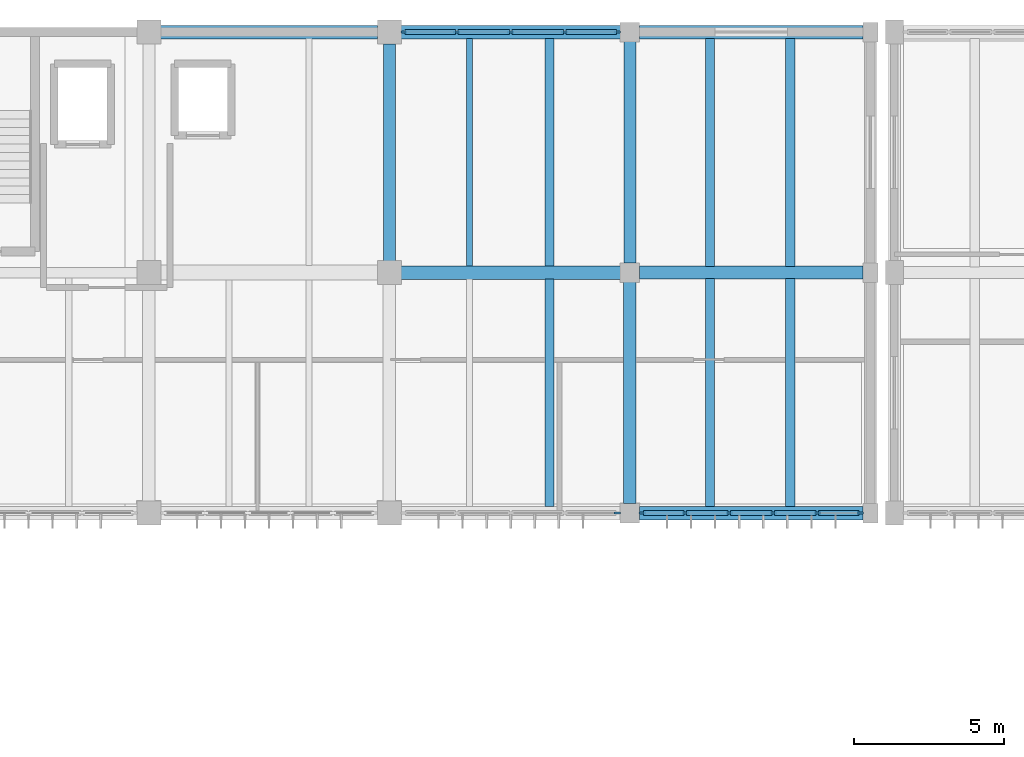
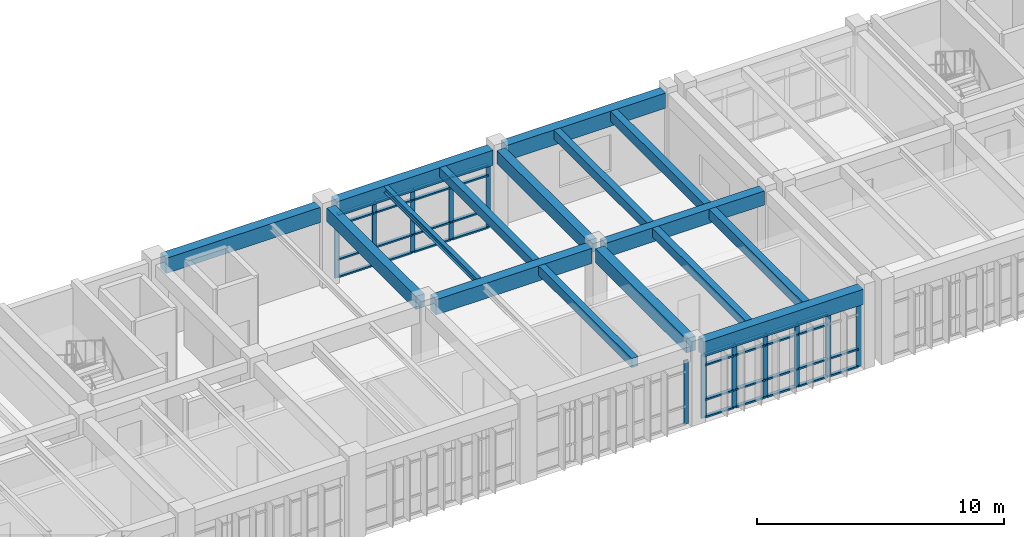
# One storey, part 22 of 67: 46 members, 16 beams, 3 elements without a shape of their own.
"""IFC4 building model written with IfcOpenShell, lengths in metres."""

from ifc_helpers import new_model, si_unit, direction, frame, origin, origin_2d, place, context, subcontext, project, spatial, rectangle, i_section, extrude, material, material_profile, profile_set, type_object, element, aggregate, save


model = new_model("IFC4")

# Units and contexts
model_context = context("Model", 3, precision=1e-05, world=origin(), true_north=direction((0.0, 1.0)))
body_context = subcontext(model_context, "Body", "Model", "MODEL_VIEW")
ifc_project = project(units=[si_unit("LENGTHUNIT", "METRE"), si_unit("AREAUNIT", "SQUARE_METRE"), si_unit("VOLUMEUNIT", "CUBIC_METRE"), si_unit("PLANEANGLEUNIT", "RADIAN"), si_unit("MASSUNIT", "GRAM", prefix="KILO")], contexts=[model_context])

# Site, building, storey
site_placement = place(None, origin())
site = spatial("IfcSite", under=ifc_project, at=site_placement, CompositionType="ELEMENT")
building_placement = place(site_placement, origin())
building = spatial("IfcBuilding", under=site, at=building_placement, Name="Tlaxcora Railside Police Headquarters", CompositionType="ELEMENT")
storey_placement = place(building_placement, frame((0.0, 0.0, 4.800048828125)))
storey = spatial("IfcBuildingStorey", under=building, at=storey_placement, Name="L01", CompositionType="ELEMENT", Elevation=4.800048828125)

# Curtain wall, members
ifc_material_1 = material(Name="Thermally broken low-E insulated glazing", Category="glass")
curtain_wall_type_1 = type_object("IfcCurtainWallType", Name="Unitised Curtain Wall Assembly CW-23", PredefinedType="NOTDEFINED", material=ifc_material_1)
curtain_wall_1_placement = place(storey_placement, origin())
curtain_wall_1 = element("IfcCurtainWall", 1, at=curtain_wall_1_placement, inside=storey, type_object=curtain_wall_type_1, Name="V5 L01 curtain wall 40", PredefinedType="NOTDEFINED")
ifc_material_2 = material(Name="Anodised aluminium framing", Category="aluminium")
ifc_material_profile_1 = material_profile(ifc_material_2, rectangle(XDim=0.080078125, YDim=0.219970703125, at=origin_2d()), Name="AL80X220")
ifc_profile_set_1 = profile_set([ifc_material_profile_1], Name="Anodised aluminium framing")
member_type_1 = type_object("IfcMemberType", Name="Curtain Wall Mullion CW-31", PredefinedType="MULLION", material=ifc_profile_set_1)
member_1_placement = place(storey_placement, frame((94.4150390625, 76.800048828125, 0.0), z_axis=(0.0, 0.0, 1.0), x_axis=(0.0, 1.0, 0.0)))
member_1 = element("IfcMember", 2, at=member_1_placement, type_object=member_type_1, Name="CW mullion 1", PredefinedType="MULLION", context=body_context, shape_type="SweptSolid", body=[
    extrude(rectangle(XDim=0.080078125, YDim=0.219970703125, at=origin_2d()), origin(), (0.0, 0.0, 1.0), 3.139892578125),
])
member_2_placement = place(storey_placement, frame((95.840087890625, 76.800048828125, 0.0), z_axis=(0.0, 0.0, 1.0), x_axis=(0.0, 1.0, 0.0)))
member_2 = element("IfcMember", 3, at=member_2_placement, type_object=member_type_1, Name="CW mullion 2", PredefinedType="MULLION", context=body_context, shape_type="SweptSolid", body=[
    extrude(rectangle(XDim=0.080078125, YDim=0.219970703125, at=origin_2d()), origin(), (0.0, 0.0, 1.0), 3.139892578125),
])
member_3_placement = place(storey_placement, frame((97.304931640625, 76.800048828125, 0.0), z_axis=(0.0, 0.0, 1.0), x_axis=(0.0, 1.0, 0.0)))
member_3 = element("IfcMember", 4, at=member_3_placement, type_object=member_type_1, Name="CW mullion 3", PredefinedType="MULLION", context=body_context, shape_type="SweptSolid", body=[
    extrude(rectangle(XDim=0.080078125, YDim=0.219970703125, at=origin_2d()), origin(), (0.0, 0.0, 1.0), 3.139892578125),
])
member_4_placement = place(storey_placement, frame((98.77001953125, 76.800048828125, 0.0), z_axis=(0.0, 0.0, 1.0), x_axis=(0.0, 1.0, 0.0)))
member_4 = element("IfcMember", 5, at=member_4_placement, type_object=member_type_1, Name="CW mullion 4", PredefinedType="MULLION", context=body_context, shape_type="SweptSolid", body=[
    extrude(rectangle(XDim=0.080078125, YDim=0.219970703125, at=origin_2d()), origin(), (0.0, 0.0, 1.0), 3.139892578125),
])
member_5_placement = place(storey_placement, frame((100.235107421875, 76.800048828125, 0.0), z_axis=(0.0, 0.0, 1.0), x_axis=(0.0, 1.0, 0.0)))
member_5 = element("IfcMember", 6, at=member_5_placement, type_object=member_type_1, Name="CW mullion 5", PredefinedType="MULLION", context=body_context, shape_type="SweptSolid", body=[
    extrude(rectangle(XDim=0.080078125, YDim=0.219970703125, at=origin_2d()), origin(), (0.0, 0.0, 1.0), 3.139892578125),
])
member_6_placement = place(storey_placement, frame((101.659912109375, 76.800048828125, 0.0), z_axis=(0.0, 0.0, 1.0), x_axis=(0.0, 1.0, 0.0)))
member_6 = element("IfcMember", 7, at=member_6_placement, type_object=member_type_1, Name="CW mullion 6", PredefinedType="MULLION", context=body_context, shape_type="SweptSolid", body=[
    extrude(rectangle(XDim=0.080078125, YDim=0.219970703125, at=origin_2d()), origin(), (0.0, 0.0, 1.0), 3.139892578125),
])

curtain_wall_type_2 = type_object("IfcCurtainWallType", Name="Unitised Curtain Wall Assembly CW-38", PredefinedType="NOTDEFINED", material=ifc_material_1)
curtain_wall_2_placement = place(storey_placement, origin())
curtain_wall_2 = element("IfcCurtainWall", 8, at=curtain_wall_2_placement, inside=storey, type_object=curtain_wall_type_2, Name="V5 L01 curtain wall 41", PredefinedType="NOTDEFINED")
ifc_material_profile_2 = material_profile(ifc_material_2, rectangle(XDim=0.074951171875, YDim=0.205078125, at=origin_2d()), Name="AL75X205")
ifc_profile_set_2 = profile_set([ifc_material_profile_2], Name="Anodised aluminium framing")
member_type_2 = type_object("IfcMemberType", Name="Curtain Wall Mullion CW-32", PredefinedType="MULLION", material=ifc_profile_set_2)
member_7_placement = place(storey_placement, frame((93.58740234375, 92.800048828125, 0.0), z_axis=(0.0, 0.0, 1.0), x_axis=(0.0, -1.0, 0.0)))
member_7 = element("IfcMember", 9, at=member_7_placement, type_object=member_type_2, Name="CW mullion 1", PredefinedType="MULLION", context=body_context, shape_type="SweptSolid", body=[
    extrude(rectangle(XDim=0.074951171875, YDim=0.205078125, at=origin_2d()), origin(), (0.0, 0.0, 1.0), 3.139892578125),
])
member_8_placement = place(storey_placement, frame((91.831298828125, 92.800048828125, 0.0), z_axis=(0.0, 0.0, 1.0), x_axis=(0.0, -1.0, 0.0)))
member_8 = element("IfcMember", 10, at=member_8_placement, type_object=member_type_2, Name="CW mullion 2", PredefinedType="MULLION", context=body_context, shape_type="SweptSolid", body=[
    extrude(rectangle(XDim=0.074951171875, YDim=0.205078125, at=origin_2d()), origin(), (0.0, 0.0, 1.0), 3.139892578125),
])
member_9_placement = place(storey_placement, frame((90.03759765625, 92.800048828125, 0.0), z_axis=(0.0, 0.0, 1.0), x_axis=(0.0, -1.0, 0.0)))
member_9 = element("IfcMember", 11, at=member_9_placement, type_object=member_type_2, Name="CW mullion 3", PredefinedType="MULLION", context=body_context, shape_type="SweptSolid", body=[
    extrude(rectangle(XDim=0.074951171875, YDim=0.205078125, at=origin_2d()), origin(), (0.0, 0.0, 1.0), 3.139892578125),
])
member_10_placement = place(storey_placement, frame((88.24365234375, 92.800048828125, 0.0), z_axis=(0.0, 0.0, 1.0), x_axis=(0.0, -1.0, 0.0)))
member_10 = element("IfcMember", 12, at=member_10_placement, type_object=member_type_2, Name="CW mullion 4", PredefinedType="MULLION", context=body_context, shape_type="SweptSolid", body=[
    extrude(rectangle(XDim=0.074951171875, YDim=0.205078125, at=origin_2d()), origin(), (0.0, 0.0, 1.0), 3.139892578125),
])
member_11_placement = place(storey_placement, frame((86.487548828125, 92.800048828125, 0.0), z_axis=(0.0, 0.0, 1.0), x_axis=(0.0, -1.0, 0.0)))
member_11 = element("IfcMember", 13, at=member_11_placement, type_object=member_type_2, Name="CW mullion 5", PredefinedType="MULLION", context=body_context, shape_type="SweptSolid", body=[
    extrude(rectangle(XDim=0.074951171875, YDim=0.205078125, at=origin_2d()), origin(), (0.0, 0.0, 1.0), 3.139892578125),
])

# Curtain wall, member
curtain_wall_type_3 = type_object("IfcCurtainWallType", Name="Unitised Curtain Wall Assembly CW-83", PredefinedType="NOTDEFINED", material=ifc_material_1)
curtain_wall_3_placement = place(storey_placement, origin())
curtain_wall_3 = element("IfcCurtainWall", 14, at=curtain_wall_3_placement, inside=storey, type_object=curtain_wall_type_3, Name="V5 L01 curtain wall 39", PredefinedType="NOTDEFINED")
ifc_material_profile_3 = material_profile(ifc_material_2, rectangle(XDim=0.080078125, YDim=0.2099609375, at=origin_2d()), Name="AL80X210")
ifc_profile_set_3 = profile_set([ifc_material_profile_3], Name="Anodised aluminium framing")
member_type_3 = type_object("IfcMemberType", Name="Curtain Wall Mullion CW-76", PredefinedType="MULLION", material=ifc_profile_set_3)
member_12_placement = place(storey_placement, frame((93.5849609375, 76.800048828125, 0.0), z_axis=(0.0, 0.0, 1.0), x_axis=(0.0, 1.0, 0.0)))
member_12 = element("IfcMember", 15, at=member_12_placement, type_object=member_type_3, Name="CW mullion 5", PredefinedType="MULLION", context=body_context, shape_type="SweptSolid", body=[
    extrude(rectangle(XDim=0.080078125, YDim=0.2099609375, at=origin_2d()), origin(), (0.0, 0.0, 1.0), 3.139892578125),
])
aggregate(curtain_wall_3, [member_12])

# Member
ifc_material_profile_4 = material_profile(ifc_material_2, rectangle(XDim=0.155029296875, YDim=0.074951171875, at=origin_2d()), Name="AL75X155")
ifc_profile_set_4 = profile_set([ifc_material_profile_4], Name="Anodised aluminium framing")
member_type_4 = type_object("IfcMemberType", Name="Curtain Wall Transom CW-30", PredefinedType="USERDEFINED", material=ifc_profile_set_4)
member_13_placement = place(storey_placement, frame((93.550048828125, 92.800048828125, 0.037353515625), z_axis=(-1.0, 0.0, 0.0), x_axis=(0.0, -1.0, 0.0)))
member_13 = element("IfcMember", 16, at=member_13_placement, type_object=member_type_4, Name="CW transom 1.1", ObjectType="TRANSOM", PredefinedType="USERDEFINED", context=body_context, shape_type="SweptSolid", body=[
    extrude(rectangle(XDim=0.155029296875, YDim=0.074951171875, at=origin_2d()), origin(), (0.0, 0.0, 1.0), 1.681396484375),
])

member_14_placement = place(storey_placement, frame((93.550048828125, 92.800048828125, 0.89990234375), z_axis=(-1.0, 0.0, 0.0), x_axis=(0.0, -1.0, 0.0)))
member_14 = element("IfcMember", 17, at=member_14_placement, type_object=member_type_4, Name="CW transom 1.2", ObjectType="TRANSOM", PredefinedType="USERDEFINED", context=body_context, shape_type="SweptSolid", body=[
    extrude(rectangle(XDim=0.155029296875, YDim=0.074951171875, at=origin_2d()), origin(), (0.0, 0.0, 1.0), 1.681396484375),
])

member_15_placement = place(storey_placement, frame((93.550048828125, 92.800048828125, 2.60986328125), z_axis=(-1.0, 0.0, 0.0), x_axis=(0.0, -1.0, 0.0)))
member_15 = element("IfcMember", 18, at=member_15_placement, type_object=member_type_4, Name="CW transom 1.3", ObjectType="TRANSOM", PredefinedType="USERDEFINED", context=body_context, shape_type="SweptSolid", body=[
    extrude(rectangle(XDim=0.155029296875, YDim=0.074951171875, at=origin_2d()), origin(), (0.0, 0.0, 1.0), 1.681396484375),
])

member_16_placement = place(storey_placement, frame((93.550048828125, 92.800048828125, 3.1025390625), z_axis=(-1.0, 0.0, 0.0), x_axis=(0.0, -1.0, 0.0)))
member_16 = element("IfcMember", 19, at=member_16_placement, type_object=member_type_4, Name="CW transom 1.4", ObjectType="TRANSOM", PredefinedType="USERDEFINED", context=body_context, shape_type="SweptSolid", body=[
    extrude(rectangle(XDim=0.155029296875, YDim=0.074951171875, at=origin_2d()), origin(), (0.0, 0.0, 1.0), 1.681396484375),
])

member_17_placement = place(storey_placement, frame((91.793701171875, 92.800048828125, 0.037353515625), z_axis=(-1.0, 0.0, 0.0), x_axis=(0.0, -1.0, 0.0)))
member_17 = element("IfcMember", 20, at=member_17_placement, type_object=member_type_4, Name="CW transom 2.1", ObjectType="TRANSOM", PredefinedType="USERDEFINED", context=body_context, shape_type="SweptSolid", body=[
    extrude(rectangle(XDim=0.155029296875, YDim=0.074951171875, at=origin_2d()), origin(), (0.0, 0.0, 1.0), 1.71875),
])

member_18_placement = place(storey_placement, frame((91.793701171875, 92.800048828125, 0.89990234375), z_axis=(-1.0, 0.0, 0.0), x_axis=(0.0, -1.0, 0.0)))
member_18 = element("IfcMember", 21, at=member_18_placement, type_object=member_type_4, Name="CW transom 2.2", ObjectType="TRANSOM", PredefinedType="USERDEFINED", context=body_context, shape_type="SweptSolid", body=[
    extrude(rectangle(XDim=0.155029296875, YDim=0.074951171875, at=origin_2d()), origin(), (0.0, 0.0, 1.0), 1.71875),
])

member_19_placement = place(storey_placement, frame((91.793701171875, 92.800048828125, 2.60986328125), z_axis=(-1.0, 0.0, 0.0), x_axis=(0.0, -1.0, 0.0)))
member_19 = element("IfcMember", 22, at=member_19_placement, type_object=member_type_4, Name="CW transom 2.3", ObjectType="TRANSOM", PredefinedType="USERDEFINED", context=body_context, shape_type="SweptSolid", body=[
    extrude(rectangle(XDim=0.155029296875, YDim=0.074951171875, at=origin_2d()), origin(), (0.0, 0.0, 1.0), 1.71875),
])

member_20_placement = place(storey_placement, frame((91.793701171875, 92.800048828125, 3.1025390625), z_axis=(-1.0, 0.0, 0.0), x_axis=(0.0, -1.0, 0.0)))
member_20 = element("IfcMember", 23, at=member_20_placement, type_object=member_type_4, Name="CW transom 2.4", ObjectType="TRANSOM", PredefinedType="USERDEFINED", context=body_context, shape_type="SweptSolid", body=[
    extrude(rectangle(XDim=0.155029296875, YDim=0.074951171875, at=origin_2d()), origin(), (0.0, 0.0, 1.0), 1.71875),
])

member_21_placement = place(storey_placement, frame((90.0, 92.800048828125, 0.037353515625), z_axis=(-1.0, 0.0, 0.0), x_axis=(0.0, -1.0, 0.0)))
member_21 = element("IfcMember", 24, at=member_21_placement, type_object=member_type_4, Name="CW transom 3.1", ObjectType="TRANSOM", PredefinedType="USERDEFINED", context=body_context, shape_type="SweptSolid", body=[
    extrude(rectangle(XDim=0.155029296875, YDim=0.074951171875, at=origin_2d()), origin(), (0.0, 0.0, 1.0), 1.71875),
])

member_22_placement = place(storey_placement, frame((90.0, 92.800048828125, 0.89990234375), z_axis=(-1.0, 0.0, 0.0), x_axis=(0.0, -1.0, 0.0)))
member_22 = element("IfcMember", 25, at=member_22_placement, type_object=member_type_4, Name="CW transom 3.2", ObjectType="TRANSOM", PredefinedType="USERDEFINED", context=body_context, shape_type="SweptSolid", body=[
    extrude(rectangle(XDim=0.155029296875, YDim=0.074951171875, at=origin_2d()), origin(), (0.0, 0.0, 1.0), 1.71875),
])

member_23_placement = place(storey_placement, frame((90.0, 92.800048828125, 2.60986328125), z_axis=(-1.0, 0.0, 0.0), x_axis=(0.0, -1.0, 0.0)))
member_23 = element("IfcMember", 26, at=member_23_placement, type_object=member_type_4, Name="CW transom 3.3", ObjectType="TRANSOM", PredefinedType="USERDEFINED", context=body_context, shape_type="SweptSolid", body=[
    extrude(rectangle(XDim=0.155029296875, YDim=0.074951171875, at=origin_2d()), origin(), (0.0, 0.0, 1.0), 1.71875),
])

member_24_placement = place(storey_placement, frame((90.0, 92.800048828125, 3.1025390625), z_axis=(-1.0, 0.0, 0.0), x_axis=(0.0, -1.0, 0.0)))
member_24 = element("IfcMember", 27, at=member_24_placement, type_object=member_type_4, Name="CW transom 3.4", ObjectType="TRANSOM", PredefinedType="USERDEFINED", context=body_context, shape_type="SweptSolid", body=[
    extrude(rectangle(XDim=0.155029296875, YDim=0.074951171875, at=origin_2d()), origin(), (0.0, 0.0, 1.0), 1.71875),
])

member_25_placement = place(storey_placement, frame((88.206298828125, 92.800048828125, 0.037353515625), z_axis=(-1.0, 0.0, 0.0), x_axis=(0.0, -1.0, 0.0)))
member_25 = element("IfcMember", 28, at=member_25_placement, type_object=member_type_4, Name="CW transom 4.1", ObjectType="TRANSOM", PredefinedType="USERDEFINED", context=body_context, shape_type="SweptSolid", body=[
    extrude(rectangle(XDim=0.155029296875, YDim=0.074951171875, at=origin_2d()), origin(), (0.0, 0.0, 1.0), 1.681396484375),
])

member_26_placement = place(storey_placement, frame((88.206298828125, 92.800048828125, 0.89990234375), z_axis=(-1.0, 0.0, 0.0), x_axis=(0.0, -1.0, 0.0)))
member_26 = element("IfcMember", 29, at=member_26_placement, type_object=member_type_4, Name="CW transom 4.2", ObjectType="TRANSOM", PredefinedType="USERDEFINED", context=body_context, shape_type="SweptSolid", body=[
    extrude(rectangle(XDim=0.155029296875, YDim=0.074951171875, at=origin_2d()), origin(), (0.0, 0.0, 1.0), 1.681396484375),
])

member_27_placement = place(storey_placement, frame((88.206298828125, 92.800048828125, 2.60986328125), z_axis=(-1.0, 0.0, 0.0), x_axis=(0.0, -1.0, 0.0)))
member_27 = element("IfcMember", 30, at=member_27_placement, type_object=member_type_4, Name="CW transom 4.3", ObjectType="TRANSOM", PredefinedType="USERDEFINED", context=body_context, shape_type="SweptSolid", body=[
    extrude(rectangle(XDim=0.155029296875, YDim=0.074951171875, at=origin_2d()), origin(), (0.0, 0.0, 1.0), 1.681396484375),
])

member_28_placement = place(storey_placement, frame((88.206298828125, 92.800048828125, 3.1025390625), z_axis=(-1.0, 0.0, 0.0), x_axis=(0.0, -1.0, 0.0)))
member_28 = element("IfcMember", 31, at=member_28_placement, type_object=member_type_4, Name="CW transom 4.4", ObjectType="TRANSOM", PredefinedType="USERDEFINED", context=body_context, shape_type="SweptSolid", body=[
    extrude(rectangle(XDim=0.155029296875, YDim=0.074951171875, at=origin_2d()), origin(), (0.0, 0.0, 1.0), 1.681396484375),
])

aggregate(curtain_wall_2, [member_7, member_8, member_9, member_10, member_11, member_13, member_14, member_15, member_16, member_17, member_18, member_19, member_20, member_21, member_22, member_23, member_24, member_25, member_26, member_27, member_28])

ifc_material_profile_5 = material_profile(ifc_material_2, rectangle(XDim=0.1650390625, YDim=0.080078125, at=origin_2d()), Name="AL80X165")
ifc_profile_set_5 = profile_set([ifc_material_profile_5], Name="Anodised aluminium framing")
member_type_5 = type_object("IfcMemberType", Name="Curtain Wall Transom CW-62", PredefinedType="USERDEFINED", material=ifc_profile_set_5)
member_29_placement = place(storey_placement, frame((94.455078125, 76.800048828125, 0.0400390625), z_axis=(1.0, 0.0, 0.0), x_axis=(0.0, 1.0, 0.0)))
member_29 = element("IfcMember", 32, at=member_29_placement, type_object=member_type_5, Name="CW transom 1.1", ObjectType="TRANSOM", PredefinedType="USERDEFINED", context=body_context, shape_type="SweptSolid", body=[
    extrude(rectangle(XDim=0.1650390625, YDim=0.080078125, at=origin_2d()), origin(), (0.0, 0.0, 1.0), 1.344970703125),
])

member_30_placement = place(storey_placement, frame((94.455078125, 76.800048828125, 0.89990234375), z_axis=(1.0, 0.0, 0.0), x_axis=(0.0, 1.0, 0.0)))
member_30 = element("IfcMember", 33, at=member_30_placement, type_object=member_type_5, Name="CW transom 1.2", ObjectType="TRANSOM", PredefinedType="USERDEFINED", context=body_context, shape_type="SweptSolid", body=[
    extrude(rectangle(XDim=0.1650390625, YDim=0.080078125, at=origin_2d()), origin(), (0.0, 0.0, 1.0), 1.344970703125),
])

member_31_placement = place(storey_placement, frame((94.455078125, 76.800048828125, 2.60986328125), z_axis=(1.0, 0.0, 0.0), x_axis=(0.0, 1.0, 0.0)))
member_31 = element("IfcMember", 34, at=member_31_placement, type_object=member_type_5, Name="CW transom 1.3", ObjectType="TRANSOM", PredefinedType="USERDEFINED", context=body_context, shape_type="SweptSolid", body=[
    extrude(rectangle(XDim=0.1650390625, YDim=0.080078125, at=origin_2d()), origin(), (0.0, 0.0, 1.0), 1.344970703125),
])

member_32_placement = place(storey_placement, frame((94.455078125, 76.800048828125, 3.099853515625), z_axis=(1.0, 0.0, 0.0), x_axis=(0.0, 1.0, 0.0)))
member_32 = element("IfcMember", 35, at=member_32_placement, type_object=member_type_5, Name="CW transom 1.4", ObjectType="TRANSOM", PredefinedType="USERDEFINED", context=body_context, shape_type="SweptSolid", body=[
    extrude(rectangle(XDim=0.1650390625, YDim=0.080078125, at=origin_2d()), origin(), (0.0, 0.0, 1.0), 1.344970703125),
])

member_33_placement = place(storey_placement, frame((95.8798828125, 76.800048828125, 0.0400390625), z_axis=(1.0, 0.0, 0.0), x_axis=(0.0, 1.0, 0.0)))
member_33 = element("IfcMember", 36, at=member_33_placement, type_object=member_type_5, Name="CW transom 2.1", ObjectType="TRANSOM", PredefinedType="USERDEFINED", context=body_context, shape_type="SweptSolid", body=[
    extrude(rectangle(XDim=0.1650390625, YDim=0.080078125, at=origin_2d()), origin(), (0.0, 0.0, 1.0), 1.385009765625),
])

member_34_placement = place(storey_placement, frame((95.8798828125, 76.800048828125, 0.89990234375), z_axis=(1.0, 0.0, 0.0), x_axis=(0.0, 1.0, 0.0)))
member_34 = element("IfcMember", 37, at=member_34_placement, type_object=member_type_5, Name="CW transom 2.2", ObjectType="TRANSOM", PredefinedType="USERDEFINED", context=body_context, shape_type="SweptSolid", body=[
    extrude(rectangle(XDim=0.1650390625, YDim=0.080078125, at=origin_2d()), origin(), (0.0, 0.0, 1.0), 1.385009765625),
])

member_35_placement = place(storey_placement, frame((95.8798828125, 76.800048828125, 2.60986328125), z_axis=(1.0, 0.0, 0.0), x_axis=(0.0, 1.0, 0.0)))
member_35 = element("IfcMember", 38, at=member_35_placement, type_object=member_type_5, Name="CW transom 2.3", ObjectType="TRANSOM", PredefinedType="USERDEFINED", context=body_context, shape_type="SweptSolid", body=[
    extrude(rectangle(XDim=0.1650390625, YDim=0.080078125, at=origin_2d()), origin(), (0.0, 0.0, 1.0), 1.385009765625),
])

member_36_placement = place(storey_placement, frame((95.8798828125, 76.800048828125, 3.099853515625), z_axis=(1.0, 0.0, 0.0), x_axis=(0.0, 1.0, 0.0)))
member_36 = element("IfcMember", 39, at=member_36_placement, type_object=member_type_5, Name="CW transom 2.4", ObjectType="TRANSOM", PredefinedType="USERDEFINED", context=body_context, shape_type="SweptSolid", body=[
    extrude(rectangle(XDim=0.1650390625, YDim=0.080078125, at=origin_2d()), origin(), (0.0, 0.0, 1.0), 1.385009765625),
])

member_37_placement = place(storey_placement, frame((97.344970703125, 76.800048828125, 0.0400390625), z_axis=(1.0, 0.0, 0.0), x_axis=(0.0, 1.0, 0.0)))
member_37 = element("IfcMember", 40, at=member_37_placement, type_object=member_type_5, Name="CW transom 3.1", ObjectType="TRANSOM", PredefinedType="USERDEFINED", context=body_context, shape_type="SweptSolid", body=[
    extrude(rectangle(XDim=0.1650390625, YDim=0.080078125, at=origin_2d()), origin(), (0.0, 0.0, 1.0), 1.385009765625),
])

member_38_placement = place(storey_placement, frame((97.344970703125, 76.800048828125, 0.89990234375), z_axis=(1.0, 0.0, 0.0), x_axis=(0.0, 1.0, 0.0)))
member_38 = element("IfcMember", 41, at=member_38_placement, type_object=member_type_5, Name="CW transom 3.2", ObjectType="TRANSOM", PredefinedType="USERDEFINED", context=body_context, shape_type="SweptSolid", body=[
    extrude(rectangle(XDim=0.1650390625, YDim=0.080078125, at=origin_2d()), origin(), (0.0, 0.0, 1.0), 1.385009765625),
])

member_39_placement = place(storey_placement, frame((97.344970703125, 76.800048828125, 2.60986328125), z_axis=(1.0, 0.0, 0.0), x_axis=(0.0, 1.0, 0.0)))
member_39 = element("IfcMember", 42, at=member_39_placement, type_object=member_type_5, Name="CW transom 3.3", ObjectType="TRANSOM", PredefinedType="USERDEFINED", context=body_context, shape_type="SweptSolid", body=[
    extrude(rectangle(XDim=0.1650390625, YDim=0.080078125, at=origin_2d()), origin(), (0.0, 0.0, 1.0), 1.385009765625),
])

member_40_placement = place(storey_placement, frame((97.344970703125, 76.800048828125, 3.099853515625), z_axis=(1.0, 0.0, 0.0), x_axis=(0.0, 1.0, 0.0)))
member_40 = element("IfcMember", 43, at=member_40_placement, type_object=member_type_5, Name="CW transom 3.4", ObjectType="TRANSOM", PredefinedType="USERDEFINED", context=body_context, shape_type="SweptSolid", body=[
    extrude(rectangle(XDim=0.1650390625, YDim=0.080078125, at=origin_2d()), origin(), (0.0, 0.0, 1.0), 1.385009765625),
])

member_41_placement = place(storey_placement, frame((98.81005859375, 76.800048828125, 0.0400390625), z_axis=(1.0, 0.0, 0.0), x_axis=(0.0, 1.0, 0.0)))
member_41 = element("IfcMember", 44, at=member_41_placement, type_object=member_type_5, Name="CW transom 4.1", ObjectType="TRANSOM", PredefinedType="USERDEFINED", context=body_context, shape_type="SweptSolid", body=[
    extrude(rectangle(XDim=0.1650390625, YDim=0.080078125, at=origin_2d()), origin(), (0.0, 0.0, 1.0), 1.385009765625),
])

member_42_placement = place(storey_placement, frame((98.81005859375, 76.800048828125, 0.89990234375), z_axis=(1.0, 0.0, 0.0), x_axis=(0.0, 1.0, 0.0)))
member_42 = element("IfcMember", 45, at=member_42_placement, type_object=member_type_5, Name="CW transom 4.2", ObjectType="TRANSOM", PredefinedType="USERDEFINED", context=body_context, shape_type="SweptSolid", body=[
    extrude(rectangle(XDim=0.1650390625, YDim=0.080078125, at=origin_2d()), origin(), (0.0, 0.0, 1.0), 1.385009765625),
])

member_43_placement = place(storey_placement, frame((98.81005859375, 76.800048828125, 2.60986328125), z_axis=(1.0, 0.0, 0.0), x_axis=(0.0, 1.0, 0.0)))
member_43 = element("IfcMember", 46, at=member_43_placement, type_object=member_type_5, Name="CW transom 4.3", ObjectType="TRANSOM", PredefinedType="USERDEFINED", context=body_context, shape_type="SweptSolid", body=[
    extrude(rectangle(XDim=0.1650390625, YDim=0.080078125, at=origin_2d()), origin(), (0.0, 0.0, 1.0), 1.385009765625),
])

member_44_placement = place(storey_placement, frame((98.81005859375, 76.800048828125, 3.099853515625), z_axis=(1.0, 0.0, 0.0), x_axis=(0.0, 1.0, 0.0)))
member_44 = element("IfcMember", 47, at=member_44_placement, type_object=member_type_5, Name="CW transom 4.4", ObjectType="TRANSOM", PredefinedType="USERDEFINED", context=body_context, shape_type="SweptSolid", body=[
    extrude(rectangle(XDim=0.1650390625, YDim=0.080078125, at=origin_2d()), origin(), (0.0, 0.0, 1.0), 1.385009765625),
])

member_45_placement = place(storey_placement, frame((100.27490234375, 76.800048828125, 0.0400390625), z_axis=(1.0, 0.0, 0.0), x_axis=(0.0, 1.0, 0.0)))
member_45 = element("IfcMember", 48, at=member_45_placement, type_object=member_type_5, Name="CW transom 5.1", ObjectType="TRANSOM", PredefinedType="USERDEFINED", context=body_context, shape_type="SweptSolid", body=[
    extrude(rectangle(XDim=0.1650390625, YDim=0.080078125, at=origin_2d()), origin(), (0.0, 0.0, 1.0), 1.34521484375),
])

member_46_placement = place(storey_placement, frame((100.27490234375, 76.800048828125, 0.89990234375), z_axis=(1.0, 0.0, 0.0), x_axis=(0.0, 1.0, 0.0)))
member_46 = element("IfcMember", 49, at=member_46_placement, type_object=member_type_5, Name="CW transom 5.2", ObjectType="TRANSOM", PredefinedType="USERDEFINED", context=body_context, shape_type="SweptSolid", body=[
    extrude(rectangle(XDim=0.1650390625, YDim=0.080078125, at=origin_2d()), origin(), (0.0, 0.0, 1.0), 1.34521484375),
])

aggregate(curtain_wall_1, [member_1, member_2, member_3, member_4, member_5, member_6, member_29, member_30, member_31, member_32, member_33, member_34, member_35, member_36, member_37, member_38, member_39, member_40, member_41, member_42, member_43, member_44, member_45, member_46])

# Beams
ifc_material_3 = material(Name="Concrete C40/50", Category="concrete")
ifc_material_profile_6 = material_profile(ifc_material_3, rectangle(XDim=0.449951171875, YDim=0.75, at=origin_2d()), Name="RC450X750")
ifc_profile_set_6 = profile_set([ifc_material_profile_6], Name="Concrete C40/50")
beam_type_1 = type_object("IfcBeamType", Name="Perimeter Spandrel Beam BM-86", PredefinedType="SPANDREL", material=ifc_profile_set_6)
beam_1_placement = place(storey_placement, frame((94.31494140625, 76.800048828125, 3.534912109375), z_axis=(1.0, 0.0, 0.0), x_axis=(0.0, 1.0, 0.0)))
element("IfcBeam", 50, at=beam_1_placement, inside=storey, type_object=beam_type_1, Name="V5 L01 X-girder Y=76.8", PredefinedType="SPANDREL", context=body_context, shape_type="SweptSolid", body=[
    extrude(rectangle(XDim=0.449951171875, YDim=0.75, at=origin_2d()), origin(), (0.0, 0.0, 1.0), 7.445068359375),
])
beam_2_placement = place(storey_placement, frame((78.389892578125, 92.800048828125, 3.534912109375), z_axis=(1.0, 0.0, 0.0), x_axis=(0.0, 1.0, 0.0)))
element("IfcBeam", 51, at=beam_2_placement, inside=storey, type_object=beam_type_1, Name="V5 L01 X-girder Y=92.8", PredefinedType="SPANDREL", context=body_context, shape_type="SweptSolid", body=[
    extrude(rectangle(XDim=0.449951171875, YDim=0.75, at=origin_2d()), origin(), (0.0, 0.0, 1.0), 7.22021484375),
])
beam_3_placement = place(storey_placement, frame((86.389892578125, 92.800048828125, 3.534912109375), z_axis=(1.0, 0.0, 0.0), x_axis=(0.0, 1.0, 0.0)))
element("IfcBeam", 52, at=beam_3_placement, inside=storey, type_object=beam_type_1, Name="V5 L01 X-girder Y=92.8", PredefinedType="SPANDREL", context=body_context, shape_type="SweptSolid", body=[
    extrude(rectangle(XDim=0.449951171875, YDim=0.75, at=origin_2d()), origin(), (0.0, 0.0, 1.0), 7.295166015625),
])
beam_4_placement = place(storey_placement, frame((94.31494140625, 92.800048828125, 3.534912109375), z_axis=(1.0, 0.0, 0.0), x_axis=(0.0, 1.0, 0.0)))
element("IfcBeam", 53, at=beam_4_placement, inside=storey, type_object=beam_type_1, Name="V5 L01 X-girder Y=92.8", PredefinedType="SPANDREL", context=body_context, shape_type="SweptSolid", body=[
    extrude(rectangle(XDim=0.449951171875, YDim=0.75, at=origin_2d()), origin(), (0.0, 0.0, 1.0), 7.445068359375),
])
ifc_material_profile_7 = material_profile(ifc_material_3, rectangle(XDim=0.419921875, YDim=0.699951171875, at=origin_2d()), Name="RC420X700")
ifc_profile_set_7 = profile_set([ifc_material_profile_7], Name="Concrete C40/50")
beam_type_2 = type_object("IfcBeamType", Name="Primary Frame Girder BM-35", PredefinedType="BEAM", material=ifc_profile_set_7)
beam_5_placement = place(storey_placement, frame((94.31494140625, 84.800048828125, 3.56005859375), z_axis=(1.0, 0.0, 0.0), x_axis=(0.0, 1.0, 0.0)))
element("IfcBeam", 54, at=beam_5_placement, inside=storey, type_object=beam_type_2, Name="V5 L01 X-girder Y=84.8", PredefinedType="BEAM", context=body_context, shape_type="SweptSolid", body=[
    extrude(rectangle(XDim=0.419921875, YDim=0.699951171875, at=origin_2d()), origin(), (0.0, 0.0, 1.0), 7.445068359375),
])
beam_6_placement = place(storey_placement, frame((94.0, 77.114990234375, 3.56005859375), z_axis=(0.0, 1.0, 0.0), x_axis=(-1.0, 0.0, 0.0)))
element("IfcBeam", 55, at=beam_6_placement, inside=storey, type_object=beam_type_2, Name="V5 L01 Y-girder X=94.0", PredefinedType="BEAM", context=body_context, shape_type="SweptSolid", body=[
    extrude(rectangle(XDim=0.419921875, YDim=0.699951171875, at=origin_2d()), origin(), (0.0, 0.0, 1.0), 7.3701171875),
])
ifc_material_profile_8 = material_profile(ifc_material_3, rectangle(XDim=0.39990234375, YDim=0.64990234375, at=origin_2d()), Name="RC400X650")
ifc_profile_set_8 = profile_set([ifc_material_profile_8], Name="Concrete C40/50")
beam_type_3 = type_object("IfcBeamType", Name="Primary Frame Girder BM-41", PredefinedType="BEAM", material=ifc_profile_set_8)
beam_7_placement = place(storey_placement, frame((86.0, 85.18994140625, 3.5849609375), z_axis=(0.0, 1.0, 0.0), x_axis=(-1.0, 0.0, 0.0)))
element("IfcBeam", 56, at=beam_7_placement, inside=storey, type_object=beam_type_3, Name="V5 L01 Y-girder X=86.0", PredefinedType="BEAM", context=body_context, shape_type="SweptSolid", body=[
    extrude(rectangle(XDim=0.39990234375, YDim=0.64990234375, at=origin_2d()), origin(), (0.0, 0.0, 1.0), 7.219970703125),
])
beam_8_placement = place(storey_placement, frame((94.0, 85.114990234375, 3.5849609375), z_axis=(0.0, 1.0, 0.0), x_axis=(-1.0, 0.0, 0.0)))
element("IfcBeam", 57, at=beam_8_placement, inside=storey, type_object=beam_type_3, Name="V5 L01 Y-girder X=94.0", PredefinedType="BEAM", context=body_context, shape_type="SweptSolid", body=[
    extrude(rectangle(XDim=0.39990234375, YDim=0.64990234375, at=origin_2d()), origin(), (0.0, 0.0, 1.0), 7.3701171875),
])
ifc_material_profile_9 = material_profile(ifc_material_3, rectangle(XDim=0.449951171875, YDim=0.75, at=origin_2d()), Name="RC450X750")
ifc_profile_set_9 = profile_set([ifc_material_profile_9], Name="Concrete C40/50")
beam_type_4 = type_object("IfcBeamType", Name="Primary Frame Girder BM-73", PredefinedType="BEAM", material=ifc_profile_set_9)
beam_9_placement = place(storey_placement, frame((86.389892578125, 84.800048828125, 3.534912109375), z_axis=(1.0, 0.0, 0.0), x_axis=(0.0, 1.0, 0.0)))
element("IfcBeam", 58, at=beam_9_placement, inside=storey, type_object=beam_type_4, Name="V5 L01 X-girder Y=84.8", PredefinedType="BEAM", context=body_context, shape_type="SweptSolid", body=[
    extrude(rectangle(XDim=0.449951171875, YDim=0.75, at=origin_2d()), origin(), (0.0, 0.0, 1.0), 7.295166015625),
])
ifc_material_4 = material(Name="Concrete C35/45", Category="concrete")
ifc_material_profile_10 = material_profile(ifc_material_4, rectangle(XDim=0.300048828125, YDim=0.449951171875, at=origin_2d()), Name="RC300X450")
ifc_profile_set_10 = profile_set([ifc_material_profile_10], Name="Concrete C35/45")
beam_type_5 = type_object("IfcBeamType", Name="Secondary Floor Joist BM-27", PredefinedType="JOIST", material=ifc_profile_set_10)
beam_10_placement = place(storey_placement, frame((91.333251953125, 77.01708984375, 3.68505859375), z_axis=(0.0, 1.0, 0.0), x_axis=(-1.0, 0.0, 0.0)))
element("IfcBeam", 59, at=beam_10_placement, inside=storey, type_object=beam_type_5, Name="V5 L01 floor joist X=91.33", PredefinedType="JOIST", context=body_context, shape_type="SweptSolid", body=[
    extrude(rectangle(XDim=0.300048828125, YDim=0.449951171875, at=origin_2d()), origin(), (0.0, 0.0, 1.0), 7.56591796875),
])
beam_11_placement = place(storey_placement, frame((96.666748046875, 77.01708984375, 3.68505859375), z_axis=(0.0, 1.0, 0.0), x_axis=(-1.0, 0.0, 0.0)))
element("IfcBeam", 60, at=beam_11_placement, inside=storey, type_object=beam_type_5, Name="V5 L01 floor joist X=96.67", PredefinedType="JOIST", context=body_context, shape_type="SweptSolid", body=[
    extrude(rectangle(XDim=0.300048828125, YDim=0.449951171875, at=origin_2d()), origin(), (0.0, 0.0, 1.0), 7.580810546875),
])
beam_12_placement = place(storey_placement, frame((91.333251953125, 85.01708984375, 3.68505859375), z_axis=(0.0, 1.0, 0.0), x_axis=(-1.0, 0.0, 0.0)))
element("IfcBeam", 61, at=beam_12_placement, inside=storey, type_object=beam_type_5, Name="V5 L01 floor joist X=91.33", PredefinedType="JOIST", context=body_context, shape_type="SweptSolid", body=[
    extrude(rectangle(XDim=0.300048828125, YDim=0.449951171875, at=origin_2d()), origin(), (0.0, 0.0, 1.0), 7.56591796875),
])
beam_13_placement = place(storey_placement, frame((96.666748046875, 85.001953125, 3.68505859375), z_axis=(0.0, 1.0, 0.0), x_axis=(-1.0, 0.0, 0.0)))
element("IfcBeam", 62, at=beam_13_placement, inside=storey, type_object=beam_type_5, Name="V5 L01 floor joist X=96.67", PredefinedType="JOIST", context=body_context, shape_type="SweptSolid", body=[
    extrude(rectangle(XDim=0.300048828125, YDim=0.449951171875, at=origin_2d()), origin(), (0.0, 0.0, 1.0), 7.5810546875),
])
ifc_material_profile_11 = material_profile(ifc_material_4, rectangle(XDim=0.320068359375, YDim=0.5, at=origin_2d()), Name="RC320X500")
ifc_profile_set_11 = profile_set([ifc_material_profile_11], Name="Concrete C35/45")
beam_type_6 = type_object("IfcBeamType", Name="Secondary Floor Joist BM-88", PredefinedType="JOIST", material=ifc_profile_set_11)
beam_14_placement = place(storey_placement, frame((99.333251953125, 77.01708984375, 3.659912109375), z_axis=(0.0, 1.0, 0.0), x_axis=(-1.0, 0.0, 0.0)))
element("IfcBeam", 63, at=beam_14_placement, inside=storey, type_object=beam_type_6, Name="V5 L01 floor joist X=99.33", PredefinedType="JOIST", context=body_context, shape_type="SweptSolid", body=[
    extrude(rectangle(XDim=0.320068359375, YDim=0.5, at=origin_2d()), origin(), (0.0, 0.0, 1.0), 7.580810546875),
])
beam_15_placement = place(storey_placement, frame((99.333251953125, 85.001953125, 3.659912109375), z_axis=(0.0, 1.0, 0.0), x_axis=(-1.0, 0.0, 0.0)))
element("IfcBeam", 64, at=beam_15_placement, inside=storey, type_object=beam_type_6, Name="V5 L01 floor joist X=99.33", PredefinedType="JOIST", context=body_context, shape_type="SweptSolid", body=[
    extrude(rectangle(XDim=0.320068359375, YDim=0.5, at=origin_2d()), origin(), (0.0, 0.0, 1.0), 7.5810546875),
])
ifc_material_5 = material(Name="Steel ASTM A992 Grade 50", Category="steel")
ifc_material_profile_12 = material_profile(ifc_material_5, i_section(OverallWidth=0.202880859375, OverallDepth=0.302978515625, WebThickness=0.007568359375, FlangeThickness=0.01318359375, at=origin_2d()), Name="W12X40")
ifc_profile_set_12 = profile_set([ifc_material_profile_12], Name="Steel ASTM A992 Grade 50")
beam_type_7 = type_object("IfcBeamType", Name="Secondary Floor Joist BM-96", PredefinedType="JOIST", material=ifc_profile_set_12)
beam_16_placement = place(storey_placement, frame((88.666748046875, 85.01708984375, 3.758544921875), z_axis=(0.0, 1.0, 0.0), x_axis=(-1.0, 0.0, 0.0)))
element("IfcBeam", 65, at=beam_16_placement, inside=storey, type_object=beam_type_7, Name="V5 L01 floor joist X=88.67", PredefinedType="JOIST", context=body_context, shape_type="SweptSolid", body=[
    extrude(i_section(OverallWidth=0.202880859375, OverallDepth=0.302978515625, WebThickness=0.007568359375, FlangeThickness=0.01318359375, at=origin_2d()), origin(), (0.0, 0.0, 1.0), 7.56591796875),
])

save(model, "model.ifc")
